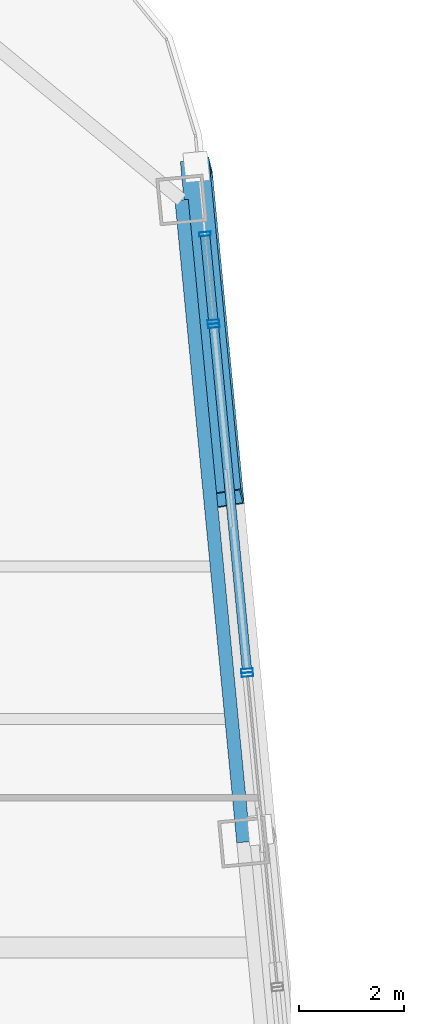
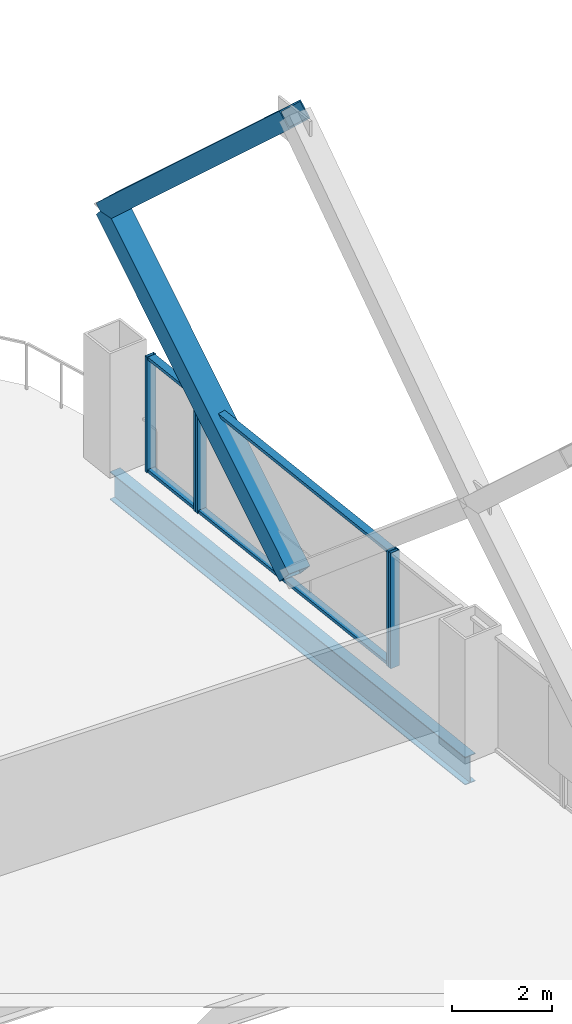
# One storey, part 24 of 32: 11 members, 1 beam, 3 elements without a shape of their own.
"""IFC4 building model written with IfcOpenShell, lengths in metres."""

from ifc_helpers import new_model, si_unit, direction, frame, origin, origin_2d, place, context, subcontext, project, spatial, hollow_rectangle, i_section, extrude, material, layer, layer_set, material_profile, profile_set, type_object, element, aggregate, save


model = new_model("IFC4")

# Units and contexts
model_context = context("Model", 3, precision=1e-05, world=origin(), true_north=direction((0.0, 1.0)))
body_context = subcontext(model_context, "Body", "Model", "MODEL_VIEW")
ifc_project = project(units=[si_unit("LENGTHUNIT", "METRE"), si_unit("AREAUNIT", "SQUARE_METRE"), si_unit("VOLUMEUNIT", "CUBIC_METRE"), si_unit("PLANEANGLEUNIT", "RADIAN"), si_unit("MASSUNIT", "GRAM", prefix="KILO")], contexts=[model_context])

# Site, building, storey
site_placement = place(None, origin())
site = spatial("IfcSite", under=ifc_project, at=site_placement, CompositionType="ELEMENT")
building_placement = place(site_placement, origin())
building = spatial("IfcBuilding", under=site, at=building_placement, Name="Qhalaya Broadcast Tower", CompositionType="ELEMENT")
storey_placement = place(building_placement, frame((0.0, 0.0, 81.64990234375)))
storey = spatial("IfcBuildingStorey", under=building, at=storey_placement, Name="L23", CompositionType="ELEMENT", Elevation=81.64990234375)

# Members
ifc_material_1 = material(Name="Structural Steel ASTM A572 Grade 50", Category="steel")
ifc_material_profile_1 = material_profile(ifc_material_1, hollow_rectangle(XDim=0.419921875, YDim=0.550048828125, WallThickness=0.028076171875, at=origin_2d()), Name="BOX 420x550x28")
ifc_profile_set_1 = profile_set([ifc_material_profile_1], Name="Structural Steel ASTM A572 Grade 50")
member_type_1 = type_object("IfcMemberType", Name="Exoskeleton Diamond Diagonal Mid-Low EX2", PredefinedType="BRACE", material=ifc_profile_set_1)
member_1_placement = place(storey_placement, frame((26.6533203125, 18.49072265625, 0.360107421875), z_axis=(-0.073037413912, 0.758637209183, 0.647406457345), x_axis=(0.157160868222, -0.632274975342, 0.758636155912)))
element("IfcMember", 1, at=member_1_placement, inside=storey, type_object=member_type_1, Name="B2 Exoskeleton Diamond Brace E3-D2", PredefinedType="BRACE", context=body_context, shape_type="SweptSolid", body=[
    extrude(hollow_rectangle(XDim=0.419921875, YDim=0.550048828125, WallThickness=0.028076171875, at=origin_2d()), origin(), (0.0, 0.0, 1.0), 8.309814453125),
])
member_2_placement = place(storey_placement, frame((26.04638671875, 24.794921875, 5.739990234375), z_axis=(0.070340028415, -0.730619555004, 0.679151931638), x_axis=(-0.160189075689, 0.663728866417, 0.730618540632)))
element("IfcMember", 2, at=member_2_placement, inside=storey, type_object=member_type_1, Name="B2 Exoskeleton Diamond Brace E3-D4", PredefinedType="BRACE", context=body_context, shape_type="SweptSolid", body=[
    extrude(hollow_rectangle(XDim=0.419921875, YDim=0.550048828125, WallThickness=0.028076171875, at=origin_2d()), origin(), (0.0, 0.0, 1.0), 8.628662109375),
])

# Beam
ifc_material_2 = material(Name="Structural Steel ASTM A992 Grade 50", Category="steel")
ifc_material_profile_2 = material_profile(ifc_material_2, i_section(OverallWidth=0.25390625, OverallDepth=0.68310546875, WebThickness=0.012451171875, FlangeThickness=0.01904296875, at=origin_2d()), Name="W27X94")
ifc_profile_set_2 = profile_set([ifc_material_profile_2], Name="Structural Steel ASTM A992 Grade 50")
beam_type = type_object("IfcBeamType", Name="Perimeter Ring Spandrel Beam SP1", PredefinedType="SPANDREL", material=ifc_profile_set_2)
beam_placement = place(storey_placement, frame((26.941162109375, 11.955078125, -0.5615234375), z_axis=(-0.095851586307, 0.99539563662, 0.0), x_axis=(-0.99539563662, -0.095851586307, 0.0)))
element("IfcBeam", 3, at=beam_placement, inside=storey, type_object=beam_type, Name="L23 SP1 L23-SPR-07", PredefinedType="SPANDREL", context=body_context, shape_type="SweptSolid", body=[
    extrude(i_section(OverallWidth=0.25390625, OverallDepth=0.68310546875, WebThickness=0.012451171875, FlangeThickness=0.01904296875, at=origin_2d()), origin(), (0.0, 0.0, 1.0), 12.2666015625),
])

# Curtain wall, member
ifc_material_3 = material(Name="Solar-Control Low-E Triple Glazing", Category="glass")
ifc_layer_1 = layer(ifc_material_3, 0.219970703125, Name="Solar-Control Low-E Triple Glazing")
ifc_layer_set_1 = layer_set([ifc_layer_1], Name="Solar-Control Low-E Triple Glazing")
curtain_wall_type_1 = type_object("IfcCurtainWallType", Name="Even-Block 4-Storey Double-Module Curtain Wall CW-03", PredefinedType="NOTDEFINED", material=ifc_layer_set_1)
curtain_wall_1_placement = place(storey_placement, origin())
curtain_wall_1 = element("IfcCurtainWall", 4, at=curtain_wall_1_placement, inside=storey, type_object=curtain_wall_type_1, Name="L23 Unitised Curtain Wall L23-CW-E5", PredefinedType="NOTDEFINED")
ifc_material_4 = material(Name="Anodised Aluminium 6063-T6", Category="aluminium")
ifc_material_profile_3 = material_profile(ifc_material_4, hollow_rectangle(XDim=0.074951171875, YDim=0.219970703125, WallThickness=0.00390625, at=origin_2d()), Name="ALU-MUL 75x220x4")
ifc_profile_set_3 = profile_set([ifc_material_profile_3], Name="Anodised Aluminium 6063-T6")
member_type_2 = type_object("IfcMemberType", Name="Unitised Curtain-Wall Mullion M01", PredefinedType="MULLION", material=ifc_profile_set_3)
member_3_placement = place(storey_placement, frame((27.01611328125, 15.140869140625, 0.0), z_axis=(0.0, 0.0, 1.0), x_axis=(-0.095835542837, 0.995397181395, 0.0)))
member_3 = element("IfcMember", 5, at=member_3_placement, type_object=member_type_2, Name="CW-03 mullion 2", PredefinedType="MULLION", context=body_context, shape_type="SweptSolid", body=[
    extrude(hollow_rectangle(XDim=0.074951171875, YDim=0.219970703125, WallThickness=0.00390625, at=origin_2d()), origin(), (0.0, 0.0, 1.0), 2.830078125),
])
aggregate(curtain_wall_1, [member_3])

# Curtain wall, members
ifc_material_5 = material(Name="Fired Architectural Terracotta", Category="masonry")
ifc_layer_2 = layer(ifc_material_5, 0.219970703125, Name="Fired Architectural Terracotta")
ifc_layer_set_2 = layer_set([ifc_layer_2], Name="Fired Architectural Terracotta")
curtain_wall_type_2 = type_object("IfcCurtainWallType", Name="Block-Cap Unitised Terracotta Spandrel Wall CW-07", PredefinedType="NOTDEFINED", material=ifc_layer_set_2)
curtain_wall_2_placement = place(storey_placement, origin())
curtain_wall_2 = element("IfcCurtainWall", 6, at=curtain_wall_2_placement, inside=storey, type_object=curtain_wall_type_2, Name="L23 Unitised Curtain Wall L23-CW-E6", PredefinedType="NOTDEFINED")
member_4_placement = place(storey_placement, frame((27.009033203125, 15.215576171875, 0.0), z_axis=(0.0, 0.0, 1.0), x_axis=(-0.095857967914, 0.995395022083, 0.0)))
member_4 = element("IfcMember", 7, at=member_4_placement, type_object=member_type_2, Name="CW-07 mullion 1", PredefinedType="MULLION", context=body_context, shape_type="SweptSolid", body=[
    extrude(hollow_rectangle(XDim=0.074951171875, YDim=0.219970703125, WallThickness=0.00390625, at=origin_2d()), origin(), (0.0, 0.0, 1.0), 2.830078125),
])
member_5_placement = place(storey_placement, frame((26.37744140625, 21.773193359375, 0.0), z_axis=(0.0, 0.0, 1.0), x_axis=(-0.095857967914, 0.995395022083, 0.0)))
member_5 = element("IfcMember", 8, at=member_5_placement, type_object=member_type_2, Name="CW-07 mullion 2", PredefinedType="MULLION", context=body_context, shape_type="SweptSolid", body=[
    extrude(hollow_rectangle(XDim=0.074951171875, YDim=0.219970703125, WallThickness=0.00390625, at=origin_2d()), origin(), (0.0, 0.0, 1.0), 2.830078125),
])

curtain_wall_3_placement = place(storey_placement, origin())
curtain_wall_3 = element("IfcCurtainWall", 9, at=curtain_wall_3_placement, inside=storey, type_object=curtain_wall_type_1, Name="L23 Unitised Curtain Wall L23-CW-E7", PredefinedType="NOTDEFINED")
member_6_placement = place(storey_placement, frame((26.370361328125, 21.847900390625, 0.0), z_axis=(0.0, 0.0, 1.0), x_axis=(-0.095829861583, 0.995397728362, 0.0)))
member_6 = element("IfcMember", 10, at=member_6_placement, type_object=member_type_2, Name="CW-03 mullion 1", PredefinedType="MULLION", context=body_context, shape_type="SweptSolid", body=[
    extrude(hollow_rectangle(XDim=0.074951171875, YDim=0.219970703125, WallThickness=0.00390625, at=origin_2d()), origin(), (0.0, 0.0, 1.0), 2.830078125),
])
member_7_placement = place(storey_placement, frame((26.20947265625, 23.517333984375, 0.0), z_axis=(0.0, 0.0, 1.0), x_axis=(-0.095829861583, 0.995397728362, 0.0)))
member_7 = element("IfcMember", 11, at=member_7_placement, type_object=member_type_2, Name="CW-03 mullion 2", PredefinedType="MULLION", context=body_context, shape_type="SweptSolid", body=[
    extrude(hollow_rectangle(XDim=0.074951171875, YDim=0.219970703125, WallThickness=0.00390625, at=origin_2d()), origin(), (0.0, 0.0, 1.0), 2.830078125),
])

# Member
ifc_material_profile_4 = material_profile(ifc_material_4, hollow_rectangle(XDim=0.074951171875, YDim=0.179931640625, WallThickness=0.00390625, at=origin_2d()), Name="ALU-TRN 75x180x4")
ifc_profile_set_4 = profile_set([ifc_material_profile_4], Name="Anodised Aluminium 6063-T6")
member_type_3 = type_object("IfcMemberType", Name="Unitised Curtain-Wall Transom T01", PredefinedType="USERDEFINED", material=ifc_profile_set_4)
member_8_placement = place(storey_placement, frame((27.00537109375, 15.2529296875, 0.03759765625), z_axis=(-0.09585097512, 0.995395695474, 0.0), x_axis=(0.0, 0.0, 1.0)))
member_8 = element("IfcMember", 12, at=member_8_placement, type_object=member_type_3, Name="CW-07 transom 1.1", ObjectType="TRANSOM", PredefinedType="USERDEFINED", context=body_context, shape_type="SweptSolid", body=[
    extrude(hollow_rectangle(XDim=0.074951171875, YDim=0.179931640625, WallThickness=0.00390625, at=origin_2d()), origin(), (0.0, 0.0, 1.0), 6.512939453125),
])

member_9_placement = place(storey_placement, frame((27.00537109375, 15.2529296875, 2.79248046875), z_axis=(-0.09585097512, 0.995395695474, 0.0), x_axis=(0.0, 0.0, 1.0)))
member_9 = element("IfcMember", 13, at=member_9_placement, type_object=member_type_3, Name="CW-07 transom 1.2", ObjectType="TRANSOM", PredefinedType="USERDEFINED", context=body_context, shape_type="SweptSolid", body=[
    extrude(hollow_rectangle(XDim=0.074951171875, YDim=0.179931640625, WallThickness=0.00390625, at=origin_2d()), origin(), (0.0, 0.0, 1.0), 6.512939453125),
])

aggregate(curtain_wall_2, [member_4, member_5, member_8, member_9])

member_10_placement = place(storey_placement, frame((26.36669921875, 21.88525390625, 0.03759765625), z_axis=(-0.09585178254, 0.995395617724, 0.0), x_axis=(0.0, 0.0, 1.0)))
member_10 = element("IfcMember", 14, at=member_10_placement, type_object=member_type_3, Name="CW-03 transom 1.1", ObjectType="TRANSOM", PredefinedType="USERDEFINED", context=body_context, shape_type="SweptSolid", body=[
    extrude(hollow_rectangle(XDim=0.074951171875, YDim=0.179931640625, WallThickness=0.00390625, at=origin_2d()), origin(), (0.0, 0.0, 1.0), 1.60205078125),
])

member_11_placement = place(storey_placement, frame((26.36669921875, 21.88525390625, 2.79248046875), z_axis=(-0.09585178254, 0.995395617724, 0.0), x_axis=(0.0, 0.0, 1.0)))
member_11 = element("IfcMember", 15, at=member_11_placement, type_object=member_type_3, Name="CW-03 transom 1.2", ObjectType="TRANSOM", PredefinedType="USERDEFINED", context=body_context, shape_type="SweptSolid", body=[
    extrude(hollow_rectangle(XDim=0.074951171875, YDim=0.179931640625, WallThickness=0.00390625, at=origin_2d()), origin(), (0.0, 0.0, 1.0), 1.60205078125),
])

aggregate(curtain_wall_3, [member_6, member_7, member_10, member_11])

save(model, "model.ifc")
